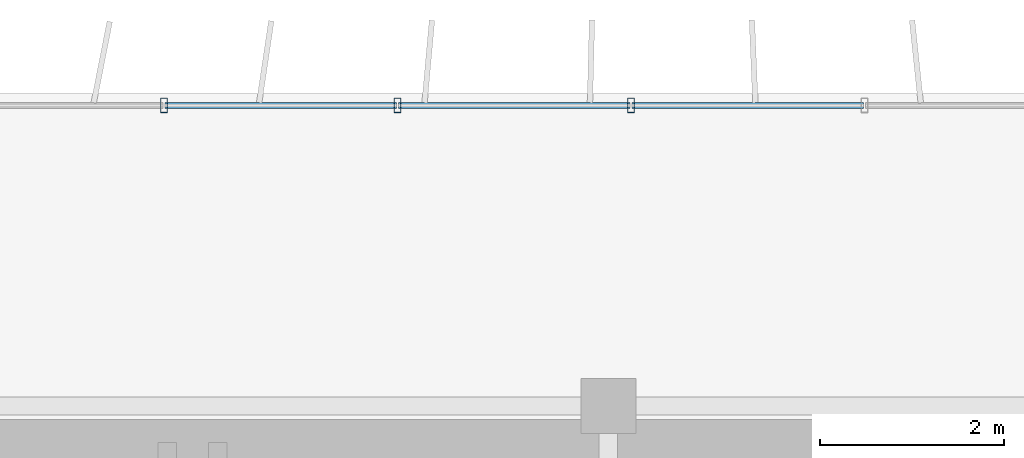
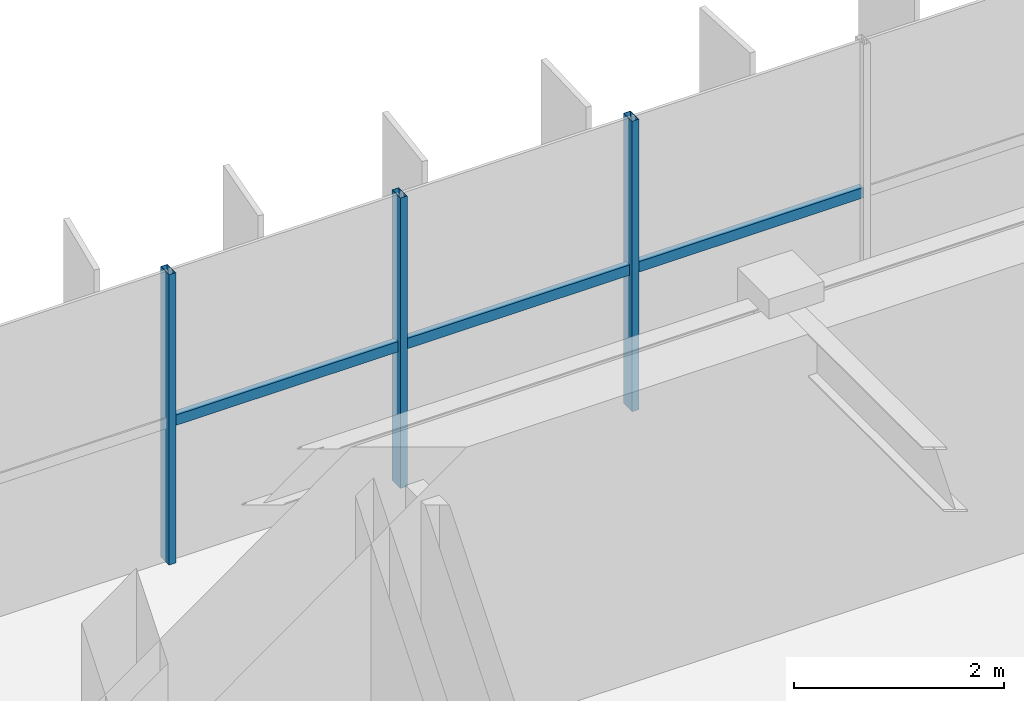
# One storey, part 8 of 21: 6 members, 1 element without a shape of its own.
"""IFC4 building model written with IfcOpenShell, lengths in metres."""

from ifc_helpers import new_model, si_unit, direction, frame, origin, origin_2d, place, context, subcontext, project, spatial, hollow_rectangle, extrude, source, transform, mapped, material, material_profile, profile_set, type_object, element, aggregate, save


model = new_model("IFC4")

# Units and contexts
model_context = context("Model", 3, precision=1e-05, world=origin(), true_north=direction((0.0, 1.0)))
body_context = subcontext(model_context, "Body", "Model", "MODEL_VIEW")
ifc_project = project(units=[si_unit("LENGTHUNIT", "METRE"), si_unit("AREAUNIT", "SQUARE_METRE"), si_unit("VOLUMEUNIT", "CUBIC_METRE"), si_unit("PLANEANGLEUNIT", "RADIAN"), si_unit("MASSUNIT", "GRAM", prefix="KILO")], contexts=[model_context])

# Site, building, storey
site_placement = place(None, origin())
site = spatial("IfcSite", under=ifc_project, at=site_placement, CompositionType="ELEMENT")
building_placement = place(site_placement, origin())
building = spatial("IfcBuilding", under=site, at=building_placement, Name="Trelvane Seafront Commons", CompositionType="ELEMENT")
storey_placement = place(building_placement, frame((0.0, 0.0, 255.89990234375)))
storey = spatial("IfcBuildingStorey", under=building, at=storey_placement, Name="L66", CompositionType="ELEMENT", Elevation=255.89990234375)

# Curtain wall, members
ifc_material = material(Name="Anodised pale-silver aluminium", Category="aluminium")
curtain_wall_type = type_object("IfcCurtainWallType", Name="ARCH-CW5-UPTOWER", PredefinedType="NOTDEFINED", material=ifc_material)
curtain_wall_placement = place(storey_placement, origin())
curtain_wall = element("IfcCurtainWall", 1, at=curtain_wall_placement, inside=storey, type_object=curtain_wall_type, Name="CW-L66-0110", PredefinedType="NOTDEFINED")
ifc_material_profile_1 = material_profile(ifc_material, hollow_rectangle(XDim=0.070068359375, YDim=0.1201171875, WallThickness=0.00390625, at=origin_2d()), Name="TRAN-70x120x4")
ifc_profile_set_1 = profile_set([ifc_material_profile_1], Name="Anodised pale-silver aluminium")
member_type_1 = type_object("IfcMemberType", Name="ARCH-CW-TRAN-120", PredefinedType="USERDEFINED", material=ifc_profile_set_1)
shared_shape_1 = source(origin(), body_context, "Body", "SweptSolid", [
    extrude(hollow_rectangle(XDim=0.070068359375, YDim=0.1201171875, WallThickness=0.00390625, at=origin_2d()), origin(), (0.0, 0.0, 1.0), 2.51708984375),
])
member_1_placement = place(storey_placement, frame((30.859130859375, 48.3701171875, 1.6181640625), z_axis=(1.0, 0.0, 0.0), x_axis=(0.0, 1.0, 0.0)))
member_1 = element("IfcMember", 2, at=member_1_placement, type_object=member_type_1, Name="CW-L66-0110-T06", ObjectType="TRANSOM", PredefinedType="USERDEFINED", context=body_context, shape_type="MappedRepresentation", body=[
    mapped(shared_shape_1, transform((0.0, 0.0, 0.0), x_axis=(1.0, 0.0, 0.0), y_axis=(0.0, 1.0, 0.0), z_axis=(0.0, 0.0, 1.0), scale=1.0)),
])
shared_shape_2 = source(origin(), body_context, "Body", "SweptSolid", [
    extrude(hollow_rectangle(XDim=0.070068359375, YDim=0.1201171875, WallThickness=0.00390625, at=origin_2d()), origin(), (0.0, 0.0, 1.0), 2.517333984375),
])
member_2_placement = place(storey_placement, frame((25.776611328125, 48.3701171875, 1.6181640625), z_axis=(1.0, 0.0, 0.0), x_axis=(0.0, 1.0, 0.0)))
member_2 = element("IfcMember", 3, at=member_2_placement, type_object=member_type_1, Name="CW-L66-0110-T04", ObjectType="TRANSOM", PredefinedType="USERDEFINED", context=body_context, shape_type="MappedRepresentation", body=[
    mapped(shared_shape_2, transform((0.0, 0.0, 0.0), x_axis=(1.0, 0.0, 0.0), y_axis=(0.0, 1.0, 0.0), z_axis=(0.0, 0.0, 1.0), scale=1.0)),
])
member_3_placement = place(storey_placement, frame((28.31787109375, 48.3701171875, 1.6181640625), z_axis=(1.0, 0.0, 0.0), x_axis=(0.0, 1.0, 0.0)))
member_3 = element("IfcMember", 4, at=member_3_placement, type_object=member_type_1, Name="CW-L66-0110-T05", ObjectType="TRANSOM", PredefinedType="USERDEFINED", context=body_context, shape_type="MappedRepresentation", body=[
    mapped(shared_shape_2, transform((0.0, 0.0, 0.0), x_axis=(1.0, 0.0, 0.0), y_axis=(0.0, 1.0, 0.0), z_axis=(0.0, 0.0, 1.0), scale=1.0)),
])
ifc_material_profile_2 = material_profile(ifc_material, hollow_rectangle(XDim=0.074951171875, YDim=0.159912109375, WallThickness=0.00390625, at=origin_2d()), Name="MULL-75x160x4")
ifc_profile_set_2 = profile_set([ifc_material_profile_2], Name="Anodised pale-silver aluminium")
member_type_2 = type_object("IfcMemberType", Name="ARCH-CW-MULL-160", PredefinedType="MULLION", material=ifc_profile_set_2)
shared_shape_3 = source(origin(), body_context, "Body", "SweptSolid", [
    extrude(hollow_rectangle(XDim=0.074951171875, YDim=0.159912109375, WallThickness=0.00390625, at=origin_2d()), origin(), (0.0, 0.0, 1.0), 3.3701171875),
])
member_4_placement = place(storey_placement, frame((25.7646484375, 48.3701171875, 0.0), z_axis=(0.0, 0.0, 1.0), x_axis=(1.0, 0.0, 0.0)))
member_4 = element("IfcMember", 5, at=member_4_placement, type_object=member_type_2, Name="CW-L66-0110-M04", PredefinedType="MULLION", context=body_context, shape_type="MappedRepresentation", body=[
    mapped(shared_shape_3, transform((0.0, 0.0, 0.0), x_axis=(1.0, 0.0, 0.0), y_axis=(0.0, 1.0, 0.0), z_axis=(0.0, 0.0, 1.0), scale=1.0)),
])
member_5_placement = place(storey_placement, frame((28.305908203125, 48.3701171875, 0.0), z_axis=(0.0, 0.0, 1.0), x_axis=(1.0, 0.0, 0.0)))
member_5 = element("IfcMember", 6, at=member_5_placement, type_object=member_type_2, Name="CW-L66-0110-M05", PredefinedType="MULLION", context=body_context, shape_type="MappedRepresentation", body=[
    mapped(shared_shape_3, transform((0.0, 0.0, 0.0), x_axis=(1.0, 0.0, 0.0), y_axis=(0.0, 1.0, 0.0), z_axis=(0.0, 0.0, 1.0), scale=1.0)),
])
member_6_placement = place(storey_placement, frame((30.84716796875, 48.3701171875, 0.0), z_axis=(0.0, 0.0, 1.0), x_axis=(1.0, 0.0, 0.0)))
member_6 = element("IfcMember", 7, at=member_6_placement, type_object=member_type_2, Name="CW-L66-0110-M06", PredefinedType="MULLION", context=body_context, shape_type="MappedRepresentation", body=[
    mapped(shared_shape_3, transform((0.0, 0.0, 0.0), x_axis=(1.0, 0.0, 0.0), y_axis=(0.0, 1.0, 0.0), z_axis=(0.0, 0.0, 1.0), scale=1.0)),
])
aggregate(curtain_wall, [member_4, member_5, member_6, member_2, member_3, member_1])

save(model, "model.ifc")
